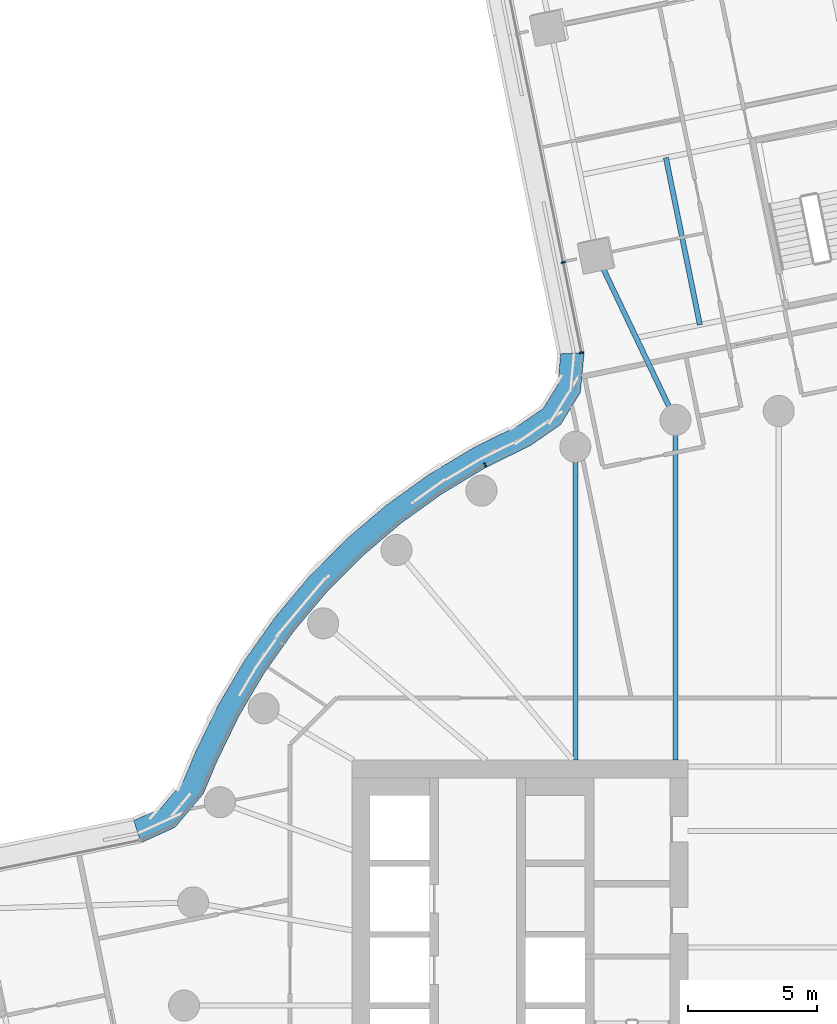
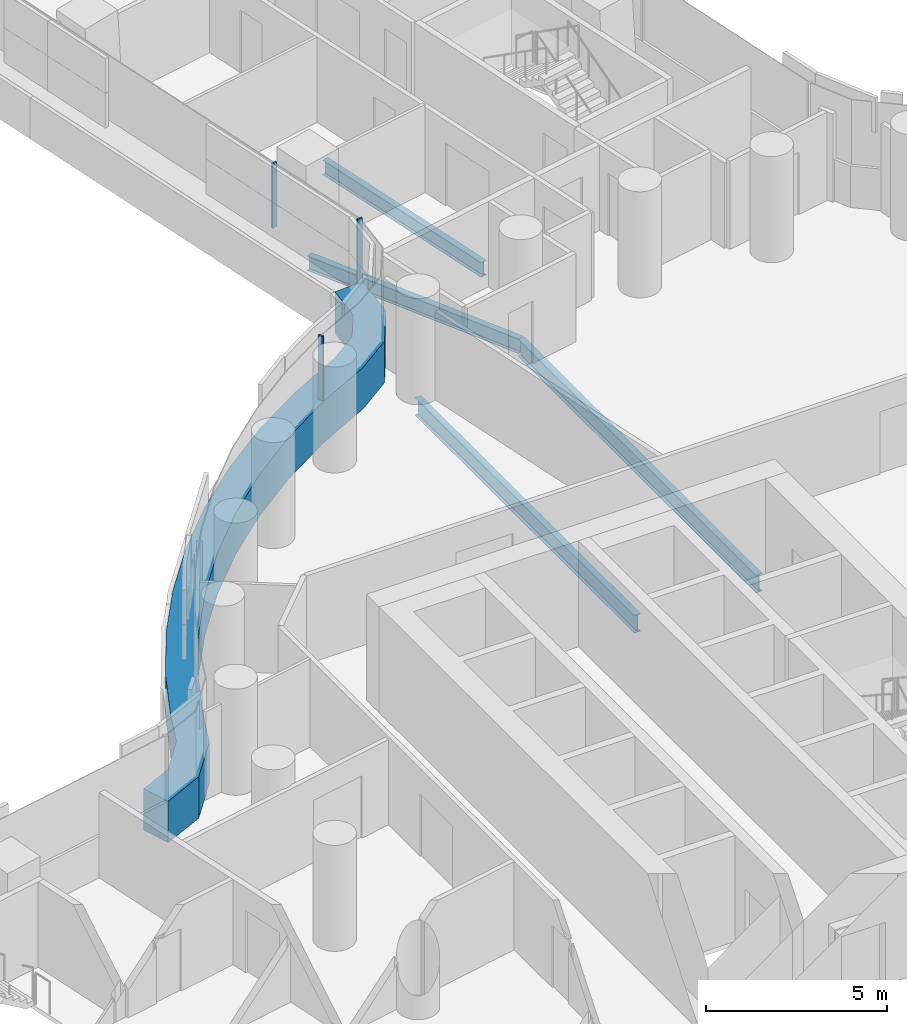
# One storey, part 13 of 31: 4 beams, 4 members, 2 elements without a shape of their own.
"""IFC4 building model written with IfcOpenShell, lengths in metres."""

from ifc_helpers import new_model, si_unit, direction, frame, origin, origin_2d, place, context, subcontext, project, spatial, polyline, rectangle, i_section, outline, extrude, material, layer, layer_set, material_profile, profile_set, type_object, element, aggregate, save


model = new_model("IFC4")

# Units and contexts
model_context = context("Model", 3, precision=1e-05, world=origin(), true_north=direction((0.0, 1.0)))
body_context = subcontext(model_context, "Body", "Model", "MODEL_VIEW")
ifc_project = project(units=[si_unit("LENGTHUNIT", "METRE"), si_unit("AREAUNIT", "SQUARE_METRE"), si_unit("VOLUMEUNIT", "CUBIC_METRE"), si_unit("PLANEANGLEUNIT", "RADIAN"), si_unit("MASSUNIT", "GRAM", prefix="KILO")], contexts=[model_context])

# Site, building, storey
site_placement = place(None, origin())
site = spatial("IfcSite", under=ifc_project, at=site_placement, CompositionType="ELEMENT")
building_placement = place(site_placement, origin())
building = spatial("IfcBuilding", under=site, at=building_placement, Name="Tamarind Cross Interchange Tower", CompositionType="ELEMENT")
storey_placement = place(building_placement, frame((0.0, 0.0, 75.25)))
storey = spatial("IfcBuildingStorey", under=building, at=storey_placement, Name="L17", CompositionType="ELEMENT", Elevation=75.25)

# Beams
ifc_material_1 = material(Name="Steel Q355B", Category="steel")
ifc_material_profile_1 = material_profile(ifc_material_1, i_section(OverallWidth=0.198974609375, OverallDepth=0.49609375, WebThickness=0.009033203125, FlangeThickness=0.013916015625, FilletRadius=0.012939453125, at=origin_2d()), Name="HN 496x199x9x14")
ifc_profile_set_1 = profile_set([ifc_material_profile_1], Name="Steel Q355B")
beam_type_1 = type_object("IfcBeamType", Name="Composite beam HN 496x199x9x14 Q355B", PredefinedType="BEAM", material=ifc_profile_set_1)
beam_1_placement = place(storey_placement, frame((-7.04345703125, 29.037841796875, -0.387939453125), z_axis=(0.430858558849, -0.902419471347, 0.0), x_axis=(0.902419471347, 0.430858558849, 0.0)))
element("IfcBeam", 1, at=beam_1_placement, inside=storey, type_object=beam_type_1, Name="Beam N-linkep", PredefinedType="BEAM", context=body_context, shape_type="SweptSolid", body=[
    extrude(i_section(OverallWidth=0.198974609375, OverallDepth=0.49609375, WebThickness=0.009033203125, FlangeThickness=0.013916015625, FilletRadius=0.012939453125, at=origin_2d()), origin(), (0.0, 0.0, 1.0), 7.077880859375),
])
beam_2_placement = place(storey_placement, frame((-3.048828125, 26.329345703125, -0.387939453125), z_axis=(-0.199230884197, 0.979952577823, 0.0), x_axis=(-0.979952577823, -0.199230884197, 0.0)))
element("IfcBeam", 2, at=beam_2_placement, inside=storey, type_object=beam_type_1, Name="Beam N-stripp", PredefinedType="BEAM", context=body_context, shape_type="SweptSolid", body=[
    extrude(i_section(OverallWidth=0.198974609375, OverallDepth=0.49609375, WebThickness=0.009033203125, FlangeThickness=0.013916015625, FilletRadius=0.012939453125, at=origin_2d()), origin(), (0.0, 0.0, 1.0), 6.60009765625),
])
ifc_material_profile_2 = material_profile(ifc_material_1, i_section(OverallWidth=0.198974609375, OverallDepth=0.595947265625, WebThickness=0.010009765625, FlangeThickness=0.014892578125, FilletRadius=0.012939453125, at=origin_2d()), Name="HN 596x199x10x15")
ifc_profile_set_2 = profile_set([ifc_material_profile_2], Name="Steel Q355B")
beam_type_2 = type_object("IfcBeamType", Name="Composite beam HN 596x199x10x15 Q355B", PredefinedType="BEAM", material=ifc_profile_set_2)
beam_3_placement = place(storey_placement, frame((-3.993896484375, 22.650634765625, -0.43798828125), z_axis=(0.0, -1.0, 0.0), x_axis=(1.0, 0.0, 0.0)))
element("IfcBeam", 3, at=beam_3_placement, inside=storey, type_object=beam_type_2, Name="Beam HH10", PredefinedType="BEAM", context=body_context, shape_type="SweptSolid", body=[
    extrude(i_section(OverallWidth=0.198974609375, OverallDepth=0.595947265625, WebThickness=0.010009765625, FlangeThickness=0.014892578125, FilletRadius=0.012939453125, at=origin_2d()), origin(), (0.0, 0.0, 1.0), 13.150634765625),
])
beam_4_placement = place(storey_placement, frame((-7.866455078125, 21.613037109375, -0.43798828125), z_axis=(0.0, -1.0, 0.0), x_axis=(1.0, 0.0, 0.0)))
element("IfcBeam", 4, at=beam_4_placement, inside=storey, type_object=beam_type_2, Name="Beam HH11", PredefinedType="BEAM", context=body_context, shape_type="SweptSolid", body=[
    extrude(i_section(OverallWidth=0.198974609375, OverallDepth=0.595947265625, WebThickness=0.010009765625, FlangeThickness=0.014892578125, FilletRadius=0.012939453125, at=origin_2d()), origin(), (0.0, 0.0, 1.0), 12.113037109375),
])

# Curtain wall, member
ifc_material_2 = material(Name="Aluminium 6063-T6", Category="aluminium")
ifc_layer = layer(ifc_material_2, 0.159912109375)
ifc_layer_set = layer_set([ifc_layer], Name="Aluminium 6063-T6")
curtain_wall_type = type_object("IfcCurtainWallType", Name="Office curtain wall, 9.0 m bays", PredefinedType="NOTDEFINED", material=ifc_layer_set)
curtain_wall_1_placement = place(storey_placement, origin())
curtain_wall_1 = element("IfcCurtainWall", 5, at=curtain_wall_1_placement, inside=storey, type_object=curtain_wall_type, Name="CWS-L17-14", PredefinedType="NOTDEFINED")
ifc_material_3 = material(Name="Aluminium and insulated spandrel panel", Category="aluminium")
member_type_1 = type_object("IfcMemberType", Name="Floor-edge blade transom", PredefinedType="USERDEFINED", material=ifc_material_3)
member_1_placement = place(storey_placement, origin())
member_1 = element("IfcMember", 6, at=member_1_placement, type_object=member_type_1, Name="CWT-L17-14", ObjectType="TRANSOM", PredefinedType="USERDEFINED", context=body_context, shape_type="SweptSolid", body=[
    extrude(outline(polyline([(-7.525634765625, 25.258544921875), (-7.6728515625, 23.710205078125), (-8.43994140625, 22.468505859375), (-9.58056640625, 21.674072265625), (-11.367431640625, 20.791015625), (-13.045654296875, 19.78125), (-14.634521484375, 18.636474609375), (-16.12353515625, 17.3642578125), (-17.50244140625, 15.973388671875), (-18.76171875, 14.4736328125), (-19.892822265625, 12.874755859375), (-20.88818359375, 11.188232421875), (-21.742431640625, 9.421142578125), (-22.25439453125, 8.19677734375), (-23.34326171875, 6.897705078125), (-24.6669921875, 6.294921875), (-24.94677734375, 7.156494140625), (-23.90185546875, 7.632080078125), (-23.031982421875, 8.670166015625), (-22.5634765625, 9.790771484375), (-21.68212890625, 11.613525390625), (-20.64892578125, 13.3642578125), (-19.474853515625, 15.023681640625), (-18.167724609375, 16.580810546875), (-16.736572265625, 18.0244140625), (-15.19091796875, 19.344970703125), (-13.54150390625, 20.533203125), (-11.799560546875, 21.581298828125), (-10.03955078125, 22.451171875), (-9.107421875, 23.100341796875), (-8.548828125, 24.00439453125), (-8.434326171875, 25.211181640625), (-7.525634765625, 25.258544921875)])), origin(), (0.0, 0.0, 1.0), 1.39990234375),
])

curtain_wall_2_placement = place(storey_placement, origin())
curtain_wall_2 = element("IfcCurtainWall", 7, at=curtain_wall_2_placement, inside=storey, type_object=curtain_wall_type, Name="CWS-L17-13", PredefinedType="NOTDEFINED")
ifc_material_profile_3 = material_profile(ifc_material_2, rectangle(XDim=0.06005859375, YDim=0.159912109375, at=origin_2d()), Name="Mullion CW1")
ifc_profile_set_3 = profile_set([ifc_material_profile_3], Name="Aluminium 6063-T6")
member_type_2 = type_object("IfcMemberType", Name="Mullion CW1", PredefinedType="MULLION", material=ifc_profile_set_3)
member_2_placement = place(storey_placement, frame((-8.332275390625, 28.745849609375, 1.39990234375), z_axis=(0.0, 0.0, 1.0), x_axis=(0.19802282903, -0.980197408272, 0.0)))
member_2 = element("IfcMember", 8, at=member_2_placement, type_object=member_type_2, Name="CWM-L17-13-02", PredefinedType="MULLION", context=body_context, shape_type="SweptSolid", body=[
    extrude(rectangle(XDim=0.06005859375, YDim=0.159912109375, at=origin_2d()), origin(), (0.0, 0.0, 1.0), 2.170166015625),
])
aggregate(curtain_wall_2, [member_2])

# Member
member_3_placement = place(storey_placement, frame((-7.626708984375, 25.25341796875, 1.39990234375), z_axis=(0.0, 0.0, 1.0), x_axis=(0.052248816044, -0.998634097767, 0.0)))
member_3 = element("IfcMember", 9, at=member_3_placement, type_object=member_type_2, Name="CWM-L17-14-00", PredefinedType="MULLION", context=body_context, shape_type="SweptSolid", body=[
    extrude(rectangle(XDim=0.06005859375, YDim=0.159912109375, at=origin_2d()), origin(), (0.0, 0.0, 1.0), 2.170166015625),
])

member_4_placement = place(storey_placement, frame((-11.3564453125, 20.907958984375, 1.39990234375), z_axis=(0.0, 0.0, 1.0), x_axis=(-0.896492548518, -0.443058811505, 0.0)))
member_4 = element("IfcMember", 10, at=member_4_placement, type_object=member_type_2, Name="CWM-L17-14-01", PredefinedType="MULLION", context=body_context, shape_type="SweptSolid", body=[
    extrude(rectangle(XDim=0.06005859375, YDim=0.159912109375, at=origin_2d()), origin(), (0.0, 0.0, 1.0), 2.170166015625),
])

aggregate(curtain_wall_1, [member_3, member_4, member_1])

save(model, "model.ifc")
